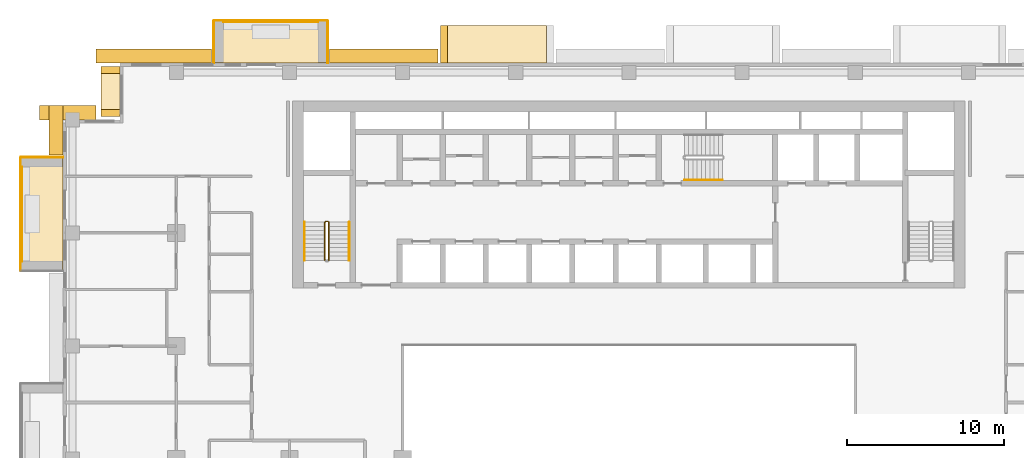
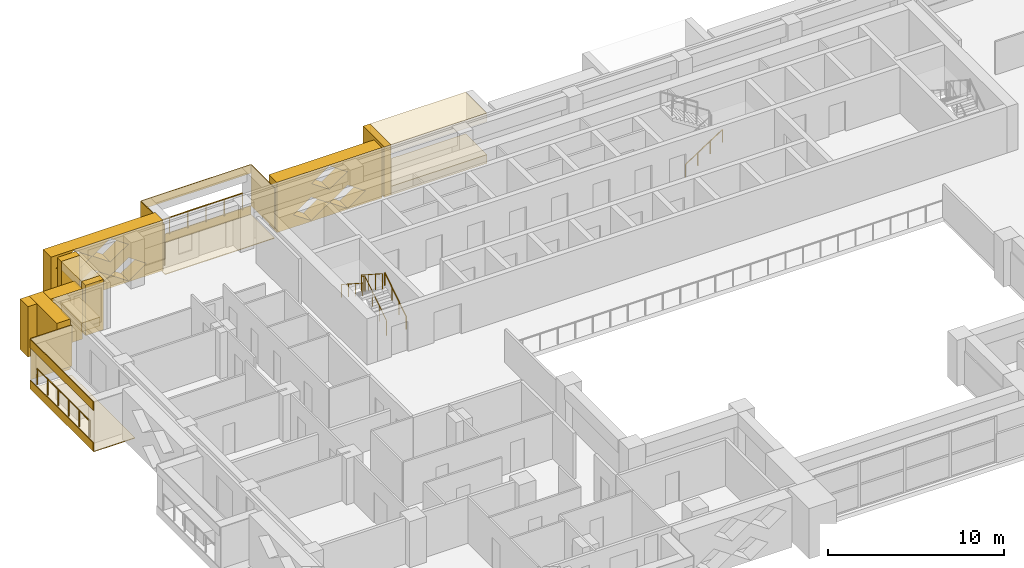
# One storey, part 18 of 20: 20 coverings, 6 railings.
"""IFC4 building model written with IfcOpenShell, lengths in metres."""

from ifc_helpers import new_model, si_unit, direction, frame, origin, origin_2d, place, context, subcontext, project, spatial, polyline, circle, outline, extrude, material, layer, layer_set, type_object, element, save


model = new_model("IFC4")

# Units and contexts
model_context = context("Model", 3, precision=1e-05, world=origin(), true_north=direction((0.0, 1.0)))
body_context = subcontext(model_context, "Body", "Model", "MODEL_VIEW")
ifc_project = project(units=[si_unit("LENGTHUNIT", "METRE"), si_unit("AREAUNIT", "SQUARE_METRE"), si_unit("VOLUMEUNIT", "CUBIC_METRE"), si_unit("PLANEANGLEUNIT", "RADIAN"), si_unit("MASSUNIT", "GRAM", prefix="KILO")], contexts=[model_context])

# Site, building, storey
site_placement = place(None, origin())
site = spatial("IfcSite", under=ifc_project, at=site_placement, CompositionType="ELEMENT")
building_placement = place(site_placement, origin())
building = spatial("IfcBuilding", under=site, at=building_placement, Name="Saffron Iwan Residences", CompositionType="ELEMENT")
storey_placement = place(building_placement, frame((0.0, 0.0, 123.5)))
storey = spatial("IfcBuildingStorey", under=building, at=storey_placement, Name="L32", CompositionType="ELEMENT", Elevation=123.5)

# Railings
ifc_material_1 = material(Name="Stainless steel 316", Category="steel")
railing_type_1 = type_object("IfcRailingType", Name="BALCONY GUARD 1150", PredefinedType="GUARDRAIL", material=ifc_material_1)
railing_1_placement = place(storey_placement, frame((30.60009765625, 83.02490234375, 0.0)))
element("IfcRailing", 1, at=railing_1_placement, inside=storey, type_object=railing_type_1, Name="Balcony guard L32 F5-3", PredefinedType="GUARDRAIL", context=body_context, shape_type="SweptSolid", body=[
    extrude(circle(Radius=0.02392578125, at=origin_2d()), frame((0.0, 0.0, 1.1259765625), z_axis=(-1.0, 0.0, 0.0), x_axis=(0.0, -1.0, 0.0)), (0.0, 0.0, 1.0), 6.0),
    extrude(circle(Radius=0.02099609375, at=origin_2d()), origin(), (0.0, 0.0, 1.0), 1.101806640625),
    extrude(circle(Radius=0.02099609375, at=origin_2d()), frame((-1.199951171875, 0.0, 0.0)), (0.0, 0.0, 1.0), 1.101806640625),
    extrude(circle(Radius=0.02099609375, at=origin_2d()), frame((-2.39990234375, 0.0, 0.0)), (0.0, 0.0, 1.0), 1.101806640625),
    extrude(circle(Radius=0.02099609375, at=origin_2d()), frame((-3.60009765625, 0.0, 0.0)), (0.0, 0.0, 1.0), 1.101806640625),
    extrude(circle(Radius=0.02099609375, at=origin_2d()), frame((-4.800048828125, 0.0, 0.0)), (0.0, 0.0, 1.0), 1.101806640625),
    extrude(circle(Radius=0.02099609375, at=origin_2d()), frame((-6.0, 0.0, 0.0)), (0.0, 0.0, 1.0), 1.101806640625),
])
railing_2_placement = place(storey_placement, frame((11.77490234375, 73.800048828125, 0.0)))
element("IfcRailing", 2, at=railing_2_placement, inside=storey, type_object=railing_type_1, Name="Balcony guard L32 F8-0", PredefinedType="GUARDRAIL", context=body_context, shape_type="SweptSolid", body=[
    extrude(circle(Radius=0.02392578125, at=origin_2d()), frame((0.0, 0.0, 1.1259765625), z_axis=(0.0, -1.0, 0.0), x_axis=(1.0, 0.0, 0.0)), (0.0, 0.0, 1.0), 6.0),
    extrude(circle(Radius=0.02099609375, at=origin_2d()), origin(), (0.0, 0.0, 1.0), 1.101806640625),
    extrude(circle(Radius=0.02099609375, at=origin_2d()), frame((0.0, -1.199951171875, 0.0)), (0.0, 0.0, 1.0), 1.101806640625),
    extrude(circle(Radius=0.02099609375, at=origin_2d()), frame((0.0, -2.39990234375, 0.0)), (0.0, 0.0, 1.0), 1.101806640625),
    extrude(circle(Radius=0.02099609375, at=origin_2d()), frame((0.0, -3.60009765625, 0.0)), (0.0, 0.0, 1.0), 1.101806640625),
    extrude(circle(Radius=0.02099609375, at=origin_2d()), frame((0.0, -4.800048828125, 0.0)), (0.0, 0.0, 1.0), 1.101806640625),
    extrude(circle(Radius=0.02099609375, at=origin_2d()), frame((0.0, -6.0, 0.0)), (0.0, 0.0, 1.0), 1.101806640625),
])

# Coverings
ifc_material_2 = material(Name="Precast concrete C40/50 white painted", Category="concrete")
ifc_layer = layer(ifc_material_2, 0.050048828125)
ifc_layer_set = layer_set([ifc_layer], Name="Precast concrete C40/50 white painted")
covering_type_1 = type_object("IfcCoveringType", Name="FRAME SKIN PRECAST WHITE 50", PredefinedType="CLADDING", material=ifc_layer_set)
for number, where, name in (
    (3, (0.0, 0.0, -0.60009765625), "Frame skin slab edge L32 F5-3"),
    (4, (0.0, 0.0, 2.25), "Frame skin fascia L32 F5-3"),
):
    element("IfcCovering", number, at=place(storey_placement, frame(where)), inside=storey, type_object=covering_type_1, Name=name, PredefinedType="CLADDING", context=body_context, shape_type="SweptSolid", body=[
        extrude(outline(polyline([(31.199951171875, 83.14990234375), (24.0, 83.14990234375), (24.0, 83.10009765625), (31.199951171875, 83.10009765625), (31.199951171875, 83.14990234375)])), origin(), (0.0, 0.0, 1.0), 0.60009765625),
    ])
covering_1_placement = place(storey_placement, frame((0.0, 0.0, -0.64990234375)))
element("IfcCovering", 5, at=covering_1_placement, inside=storey, type_object=covering_type_1, Name="Frame skin soffit L32 F5-3", PredefinedType="CLADDING", context=body_context, shape_type="SweptSolid", body=[
    extrude(outline(polyline([(31.199951171875, 83.10009765625), (24.0, 83.10009765625), (24.0, 80.39990234375), (31.199951171875, 80.39990234375), (31.199951171875, 83.10009765625)])), origin(), (0.0, 0.0, 1.0), 0.0498046875),
])
covering_2_placement = place(storey_placement, origin())
element("IfcCovering", 6, at=covering_2_placement, inside=storey, type_object=covering_type_1, Name="Frame skin fin L32 F5-3a", PredefinedType="CLADDING", context=body_context, shape_type="SweptSolid", body=[
    extrude(outline(polyline([(31.25, 83.10009765625), (31.199951171875, 83.10009765625), (31.199951171875, 80.39990234375), (31.25, 80.39990234375), (31.25, 83.10009765625)])), origin(), (0.0, 0.0, 1.0), 2.85009765625),
])
covering_3_placement = place(storey_placement, origin())
element("IfcCovering", 7, at=covering_3_placement, inside=storey, type_object=covering_type_1, Name="Frame skin fin L32 F5-3b", PredefinedType="CLADDING", context=body_context, shape_type="SweptSolid", body=[
    extrude(outline(polyline([(24.0, 83.10009765625), (23.949951171875, 83.10009765625), (23.949951171875, 80.39990234375), (24.0, 80.39990234375), (24.0, 83.10009765625)])), origin(), (0.0, 0.0, 1.0), 2.85009765625),
])
for number, where, name in (
    (8, (0.0, 0.0, -0.60009765625), "Frame skin slab edge L32 F8-0"),
    (9, (0.0, 0.0, 2.25), "Frame skin fascia L32 F8-0"),
):
    element("IfcCovering", number, at=place(storey_placement, frame(where)), inside=storey, type_object=covering_type_1, Name=name, PredefinedType="CLADDING", context=body_context, shape_type="SweptSolid", body=[
        extrude(outline(polyline([(11.64990234375, 74.39990234375), (11.64990234375, 67.199951171875), (11.699951171875, 67.199951171875), (11.699951171875, 74.39990234375), (11.64990234375, 74.39990234375)])), origin(), (0.0, 0.0, 1.0), 0.60009765625),
    ])
covering_4_placement = place(storey_placement, frame((0.0, 0.0, -0.64990234375)))
element("IfcCovering", 10, at=covering_4_placement, inside=storey, type_object=covering_type_1, Name="Frame skin soffit L32 F8-0", PredefinedType="CLADDING", context=body_context, shape_type="SweptSolid", body=[
    extrude(outline(polyline([(11.699951171875, 74.39990234375), (11.699951171875, 67.199951171875), (14.39990234375, 67.199951171875), (14.39990234375, 74.39990234375), (11.699951171875, 74.39990234375)])), origin(), (0.0, 0.0, 1.0), 0.0498046875),
])
covering_5_placement = place(storey_placement, origin())
element("IfcCovering", 11, at=covering_5_placement, inside=storey, type_object=covering_type_1, Name="Frame skin fin L32 F8-0a", PredefinedType="CLADDING", context=body_context, shape_type="SweptSolid", body=[
    extrude(outline(polyline([(11.699951171875, 74.449951171875), (11.699951171875, 74.39990234375), (14.39990234375, 74.39990234375), (14.39990234375, 74.449951171875), (11.699951171875, 74.449951171875)])), origin(), (0.0, 0.0, 1.0), 2.85009765625),
])
ifc_material_3 = material(Name="Precast concrete C40/50", Category="concrete")
covering_type_2 = type_object("IfcCoveringType", Name="OUTER SKIN LATTICE SCREEN", PredefinedType="CLADDING", material=ifc_material_3)
covering_6_placement = place(storey_placement, frame((38.25, 80.39990234375, -0.300048828125), z_axis=(0.0, 1.0, 0.0), x_axis=(-1.0, 0.0, 0.0)))
element("IfcCovering", 12, at=covering_6_placement, inside=storey, type_object=covering_type_2, Name="OUTER SKIN lattice screen L32 F5.3", PredefinedType="CLADDING", context=body_context, shape_type="SweptSolid", body=[
    extrude(outline(polyline([(0.0, 0.0), (6.89990234375, 0.0), (6.89990234375, 3.5), (0.0, 3.5), (0.0, 0.0)]), holes=[polyline([(1.070068359375, 0.875), (2.25, 0.06005859375), (3.429931640625, 0.875), (2.25, 1.68994140625), (1.070068359375, 0.875)]), polyline([(3.469970703125, 0.875), (4.64990234375, 0.06005859375), (5.830078125, 0.875), (4.64990234375, 1.68994140625), (3.469970703125, 0.875)]), polyline([(2.27001953125, 2.625), (3.449951171875, 1.81005859375), (4.6298828125, 2.625), (3.449951171875, 3.43994140625), (2.27001953125, 2.625)])]), origin(), (0.0, 0.0, 1.0), 0.900146484375),
])
covering_7_placement = place(storey_placement, frame((23.85009765625, 80.39990234375, -0.300048828125), z_axis=(0.0, 1.0, 0.0), x_axis=(-1.0, 0.0, 0.0)))
element("IfcCovering", 13, at=covering_7_placement, inside=storey, type_object=covering_type_2, Name="OUTER SKIN lattice screen L32 F5.4", PredefinedType="CLADDING", context=body_context, shape_type="SweptSolid", body=[
    extrude(outline(polyline([(0.0, 0.0), (7.35009765625, 0.0), (7.35009765625, 3.5), (0.0, 3.5), (0.0, 0.0)]), holes=[polyline([(1.070068359375, 0.875), (2.25, 0.06005859375), (3.429931640625, 0.875), (2.25, 1.68994140625), (1.070068359375, 0.875)]), polyline([(3.469970703125, 0.875), (4.64990234375, 0.06005859375), (5.830078125, 0.875), (4.64990234375, 1.68994140625), (3.469970703125, 0.875)]), polyline([(2.27001953125, 2.625), (3.449951171875, 1.81005859375), (4.6298828125, 2.625), (3.449951171875, 3.43994140625), (2.27001953125, 2.625)]), polyline([(4.669921875, 2.625), (5.85009765625, 1.81005859375), (7.030029296875, 2.625), (5.85009765625, 3.43994140625), (4.669921875, 2.625)])]), origin(), (0.0, 0.0, 1.0), 0.900146484375),
])
covering_8_placement = place(storey_placement, frame((16.5, 76.800048828125, -0.300048828125), z_axis=(0.0, 1.0, 0.0), x_axis=(-1.0, 0.0, 0.0)))
element("IfcCovering", 14, at=covering_8_placement, inside=storey, type_object=covering_type_2, Name="OUTER SKIN lattice screen L32 F7.0", PredefinedType="CLADDING", context=body_context, shape_type="SweptSolid", body=[
    extrude(outline(polyline([(0.0, 0.0), (3.60009765625, 0.0), (3.60009765625, 3.5), (0.0, 3.5), (0.0, 0.0)]), holes=[polyline([(0.919921875, 0.875), (2.10009765625, 0.06005859375), (3.280029296875, 0.875), (2.10009765625, 1.68994140625), (0.919921875, 0.875)])]), origin(), (0.0, 0.0, 1.0), 0.89990234375),
])
covering_9_placement = place(storey_placement, frame((14.39990234375, 77.699951171875, -0.300048828125), z_axis=(-1.0, 0.0, 0.0), x_axis=(0.0, -1.0, 0.0)))
element("IfcCovering", 15, at=covering_9_placement, inside=storey, type_object=covering_type_2, Name="OUTER SKIN lattice screen L32 F8.0", PredefinedType="CLADDING", context=body_context, shape_type="SweptSolid", body=[
    extrude(outline(polyline([(0.0, 0.0), (3.14990234375, 0.0), (3.14990234375, 3.5), (0.0, 3.5), (0.0, 0.0)])), origin(), (0.0, 0.0, 1.0), 0.89990234375),
])

# Railings
ifc_material_4 = material(Name="Steel S355", Category="steel")
railing_type_2 = type_object("IfcRailingType", Name="Stair guard 1100", PredefinedType="GUARDRAIL", material=ifc_material_4)
railing_3_placement = place(storey_placement, frame((31.300048828125, 67.85009765625, 0.175048828125)))
element("IfcRailing", 16, at=railing_3_placement, inside=storey, type_object=railing_type_2, Name="L32 ST-W stair guard 1", PredefinedType="GUARDRAIL", context=body_context, shape_type="SweptSolid", body=[
    extrude(circle(Radius=0.02392578125, at=origin_2d()), frame((0.0, 0.0, 1.076171875), z_axis=(0.0, 0.839153699163, 0.543894354798), x_axis=(-1.0, 0.0, 0.0)), (0.0, 0.0, 1.0), 2.895751953125),
    extrude(circle(Radius=0.02392578125, at=origin_2d()), frame((0.0, 2.429931640625, 2.65087890625), z_axis=(-0.707106781187, 0.707106781187, 0.0), x_axis=(-0.707106781187, -0.707106781187, 0.0)), (0.0, 0.0, 1.0), 0.07080078125),
    extrude(circle(Radius=0.02392578125, at=origin_2d()), frame((-0.050048828125, 2.47998046875, 2.65087890625), z_axis=(-1.0, 0.0, 0.0), x_axis=(0.0, -1.0, 0.0)), (0.0, 0.0, 1.0), 0.14990234375),
    extrude(circle(Radius=0.02392578125, at=origin_2d()), frame((-0.199951171875, 2.47998046875, 2.65087890625), z_axis=(-0.265065253269, -0.265065253269, 0.927081885822), x_axis=(0.707106781187, -0.707106781187, 0.0)), (0.0, 0.0, 1.0), 0.188720703125),
    extrude(circle(Radius=0.02392578125, at=origin_2d()), frame((-0.25, 2.429931640625, 2.826171875), z_axis=(0.0, -0.839153699163, 0.543894354798), x_axis=(1.0, 0.0, 0.0)), (0.0, 0.0, 1.0), 2.895751953125),
    extrude(circle(Radius=0.02099609375, at=origin_2d()), origin(), (0.0, 0.0, 1.0), 1.052001953125),
    extrude(circle(Radius=0.02099609375, at=origin_2d()), frame((0.0, 0.81005859375, 0.52490234375)), (0.0, 0.0, 1.0), 1.052001953125),
    extrude(circle(Radius=0.02099609375, at=origin_2d()), frame((0.0, 1.619873046875, 1.050048828125)), (0.0, 0.0, 1.0), 1.052001953125),
    extrude(circle(Radius=0.02099609375, at=origin_2d()), frame((0.0, 2.429931640625, 1.574951171875)), (0.0, 0.0, 1.0), 1.052001953125),
    extrude(circle(Radius=0.02099609375, at=origin_2d()), frame((-0.050048828125, 2.47998046875, 1.574951171875)), (0.0, 0.0, 1.0), 1.052001953125),
    extrude(circle(Radius=0.02099609375, at=origin_2d()), frame((-0.199951171875, 2.47998046875, 1.574951171875)), (0.0, 0.0, 1.0), 1.052001953125),
    extrude(circle(Radius=0.02099609375, at=origin_2d()), frame((-0.25, 2.429931640625, 1.75)), (0.0, 0.0, 1.0), 1.052001953125),
    extrude(circle(Radius=0.02099609375, at=origin_2d()), frame((-0.25, 1.619873046875, 2.27490234375)), (0.0, 0.0, 1.0), 1.052001953125),
    extrude(circle(Radius=0.02099609375, at=origin_2d()), frame((-0.25, 0.81005859375, 2.800048828125)), (0.0, 0.0, 1.0), 1.052001953125),
    extrude(circle(Radius=0.02099609375, at=origin_2d()), frame((-0.25, 0.0, 3.324951171875)), (0.0, 0.0, 1.0), 1.052001953125),
])
railing_type_3 = type_object("IfcRailingType", Name="Stair handrail 900", PredefinedType="HANDRAIL", material=ifc_material_1)
railing_4_placement = place(storey_placement, frame((32.60009765625, 67.85009765625, 0.175048828125)))
element("IfcRailing", 17, at=railing_4_placement, inside=storey, type_object=railing_type_3, Name="L32 ST-W stair handrail 1", PredefinedType="HANDRAIL", context=body_context, shape_type="SweptSolid", body=[
    extrude(circle(Radius=0.02392578125, at=origin_2d()), frame((0.0, 0.0, 0.8759765625), z_axis=(0.0, 0.839153699163, 0.543894354798), x_axis=(-1.0, 0.0, 0.0)), (0.0, 0.0, 1.0), 2.895751953125),
    extrude(circle(Radius=0.02099609375, at=origin_2d()), origin(), (0.0, 0.0, 1.0), 0.851806640625),
    extrude(circle(Radius=0.02099609375, at=origin_2d()), frame((0.0, 0.81005859375, 0.52490234375)), (0.0, 0.0, 1.0), 0.851806640625),
    extrude(circle(Radius=0.02099609375, at=origin_2d()), frame((0.0, 1.619873046875, 1.050048828125)), (0.0, 0.0, 1.0), 0.851806640625),
    extrude(circle(Radius=0.02099609375, at=origin_2d()), frame((0.0, 2.429931640625, 1.574951171875)), (0.0, 0.0, 1.0), 0.851806640625),
])
railing_5_placement = place(storey_placement, frame((29.75, 70.280029296875, 1.925048828125)))
element("IfcRailing", 18, at=railing_5_placement, inside=storey, type_object=railing_type_3, Name="L32 ST-W stair handrail 2", PredefinedType="HANDRAIL", context=body_context, shape_type="SweptSolid", body=[
    extrude(circle(Radius=0.02392578125, at=origin_2d()), frame((0.0, 0.0, 0.8759765625), z_axis=(0.0, -0.839153699163, 0.543894354798), x_axis=(1.0, 0.0, 0.0)), (0.0, 0.0, 1.0), 2.895751953125),
    extrude(circle(Radius=0.02099609375, at=origin_2d()), origin(), (0.0, 0.0, 1.0), 0.851806640625),
    extrude(circle(Radius=0.02099609375, at=origin_2d()), frame((0.0, -0.81005859375, 0.52490234375)), (0.0, 0.0, 1.0), 0.851806640625),
    extrude(circle(Radius=0.02099609375, at=origin_2d()), frame((0.0, -1.619873046875, 1.050048828125)), (0.0, 0.0, 1.0), 0.851806640625),
    extrude(circle(Radius=0.02099609375, at=origin_2d()), frame((0.0, -2.429931640625, 1.574951171875)), (0.0, 0.0, 1.0), 0.851806640625),
])
railing_6_placement = place(storey_placement, frame((53.925048828125, 72.97509765625, 0.175048828125)))
element("IfcRailing", 19, at=railing_6_placement, inside=storey, type_object=railing_type_3, Name="L32 ST-C stair handrail 1", PredefinedType="HANDRAIL", context=body_context, shape_type="SweptSolid", body=[
    extrude(circle(Radius=0.02392578125, at=origin_2d()), frame((0.0, 0.0, 0.8759765625), z_axis=(0.839153699163, 0.0, 0.543894354798), x_axis=(0.0, 1.0, 0.0)), (0.0, 0.0, 1.0), 2.895751953125),
    extrude(circle(Radius=0.02099609375, at=origin_2d()), origin(), (0.0, 0.0, 1.0), 0.851806640625),
    extrude(circle(Radius=0.02099609375, at=origin_2d()), frame((0.81005859375, 0.0, 0.52490234375)), (0.0, 0.0, 1.0), 0.851806640625),
    extrude(circle(Radius=0.02099609375, at=origin_2d()), frame((1.619873046875, 0.0, 1.050048828125)), (0.0, 0.0, 1.0), 0.851806640625),
    extrude(circle(Radius=0.02099609375, at=origin_2d()), frame((2.429931640625, 0.0, 1.574951171875)), (0.0, 0.0, 1.0), 0.851806640625),
])

# Coverings
covering_type_3 = type_object("IfcCoveringType", Name="WHITE SUN FRAME PRECAST", PredefinedType="CLADDING", material=ifc_material_2)
covering_10_placement = place(storey_placement, frame((38.85009765625, 80.39990234375, -0.300048828125), z_axis=(0.0, 1.0, 0.0), x_axis=(-1.0, 0.0, 0.0)))
element("IfcCovering", 20, at=covering_10_placement, inside=storey, type_object=covering_type_3, Name="Sun frame L32 F5 37.2b", PredefinedType="CLADDING", context=body_context, shape_type="SweptSolid", body=[
    extrude(outline(polyline([(0.0, 0.0), (0.449951171875, 0.0), (0.449951171875, 3.5), (0.0, 3.5), (0.0, 0.0)])), origin(), (0.0, 0.0, 1.0), 2.400146484375),
])
for number, where, z_axis, x_axis, name in (
    (21, (45.14990234375, 80.39990234375, 2.60009765625), (0.0, 1.0, 0.0), (-1.0, 0.0, 0.0), "Sun frame L32 F5 37.2h"),
    (22, (45.14990234375, 80.39990234375, -0.300048828125), (0.0, 1.0, 0.0), (-1.0, 0.0, 0.0), "Sun frame L32 F5 37.2s"),
):
    element("IfcCovering", number, at=place(storey_placement, frame(where, z_axis=z_axis, x_axis=x_axis)), inside=storey, type_object=covering_type_3, Name=name, PredefinedType="CLADDING", context=body_context, shape_type="SweptSolid", body=[
        extrude(outline(polyline([(0.0, 0.0), (6.300048828125, 0.0), (6.300048828125, 0.60009765625), (0.0, 0.60009765625), (0.0, 0.0)])), origin(), (0.0, 0.0, 1.0), 2.400146484375),
    ])
for number, where, z_axis, x_axis, name in (
    (23, (18.0, 80.199951171875, -0.300048828125), (-1.0, 0.0, 0.0), (0.0, -1.0, 0.0), "Sun frame L32 F6 0.2a"),
    (24, (18.0, 77.449951171875, -0.300048828125), (-1.0, 0.0, 0.0), (0.0, -1.0, 0.0), "Sun frame L32 F6 0.2b"),
):
    element("IfcCovering", number, at=place(storey_placement, frame(where, z_axis=z_axis, x_axis=x_axis)), inside=storey, type_object=covering_type_3, Name=name, PredefinedType="CLADDING", context=body_context, shape_type="SweptSolid", body=[
        extrude(outline(polyline([(0.0, 0.0), (0.449951171875, 0.0), (0.449951171875, 3.5), (0.0, 3.5), (0.0, 0.0)])), origin(), (0.0, 0.0, 1.0), 1.199951171875),
    ])
for number, where, z_axis, x_axis, name in (
    (25, (18.0, 79.75, 2.60009765625), (-1.0, 0.0, 0.0), (0.0, -1.0, 0.0), "Sun frame L32 F6 0.2h"),
    (26, (18.0, 79.75, -0.300048828125), (-1.0, 0.0, 0.0), (0.0, -1.0, 0.0), "Sun frame L32 F6 0.2s"),
):
    element("IfcCovering", number, at=place(storey_placement, frame(where, z_axis=z_axis, x_axis=x_axis)), inside=storey, type_object=covering_type_3, Name=name, PredefinedType="CLADDING", context=body_context, shape_type="SweptSolid", body=[
        extrude(outline(polyline([(0.0, 0.0), (2.300048828125, 0.0), (2.300048828125, 0.60009765625), (0.0, 0.60009765625), (0.0, 0.0)])), origin(), (0.0, 0.0, 1.0), 1.199951171875),
    ])

save(model, "model.ifc")
